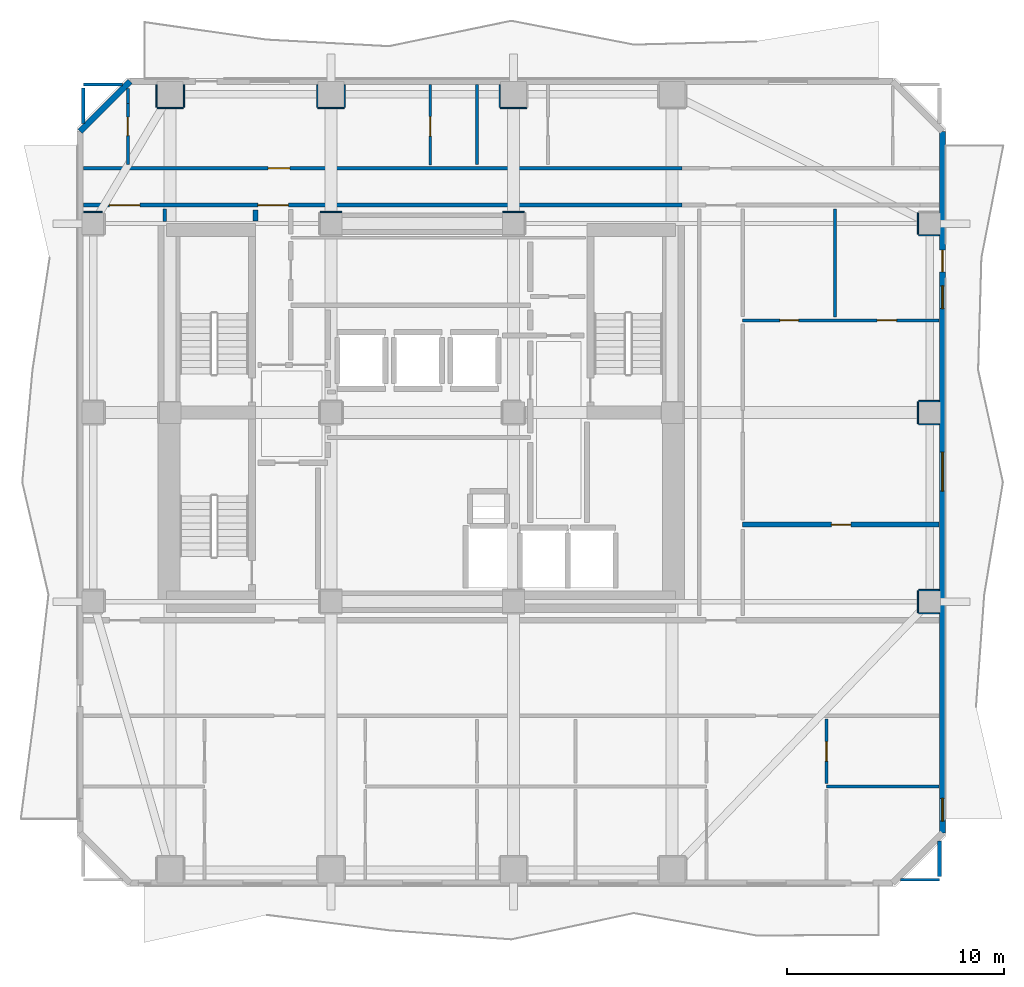
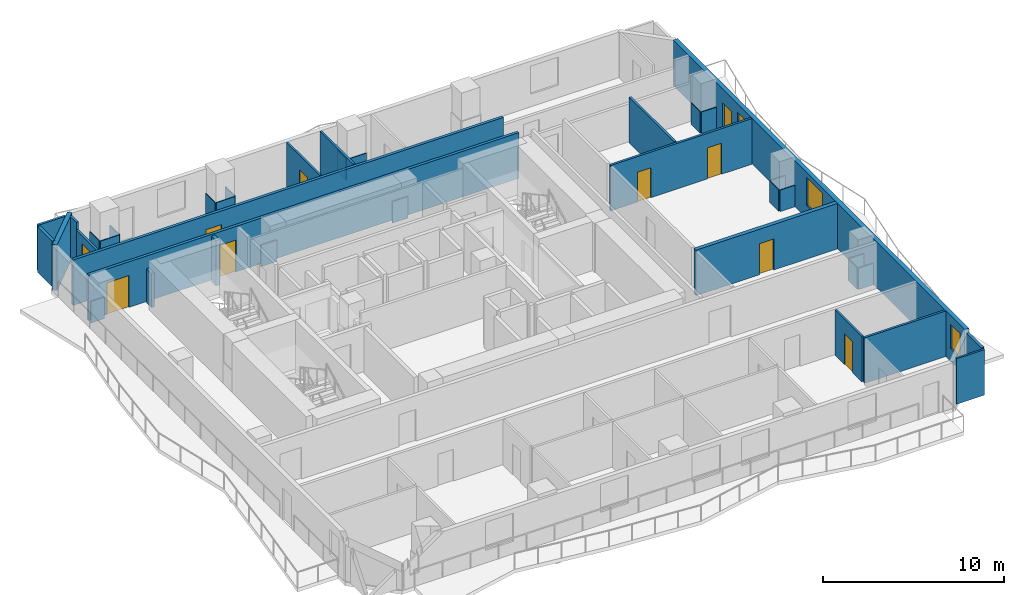
# One storey, part 5 of 9: 38 walls, 10 doors, 3 windows, 13 openings.
"""IFC4 building model written with IfcOpenShell, lengths in metres."""

from ifc_helpers import new_model, si_unit, direction, frame, frame_2d, origin, place, context, subcontext, project, spatial, rectangle, extrude, material, layer, layer_set, type_object, element, fill, save


model = new_model("IFC4")

# Units and contexts
model_context = context("Model", 3, precision=1e-05, world=origin(), true_north=direction((0.0, 1.0)))
body_context = subcontext(model_context, "Body", "Model", "MODEL_VIEW")
ifc_project = project(units=[si_unit("LENGTHUNIT", "METRE"), si_unit("AREAUNIT", "SQUARE_METRE"), si_unit("VOLUMEUNIT", "CUBIC_METRE"), si_unit("PLANEANGLEUNIT", "RADIAN"), si_unit("MASSUNIT", "GRAM", prefix="KILO")], contexts=[model_context])

# Site, building, storey
site_placement = place(None, origin())
site = spatial("IfcSite", under=ifc_project, at=site_placement, CompositionType="ELEMENT")
building_placement = place(site_placement, origin())
building = spatial("IfcBuilding", under=site, at=building_placement, Name="Solanera Arch Residences", CompositionType="ELEMENT")
storey_placement = place(building_placement, frame((0.0, 0.0, 129.320068359375)))
storey = spatial("IfcBuildingStorey", under=building, at=storey_placement, Name="L37", CompositionType="ELEMENT", Elevation=129.320068359375)

# Walls
ifc_material_1 = material(Name="Fire-Rated Gypsum Stud Partition", Category="gypsum")
ifc_layer_1 = layer(ifc_material_1, 0.06005859375)
ifc_layer_set_1 = layer_set([ifc_layer_1], Name="Fire-Rated Gypsum Stud Partition")
wall_type_1 = type_object("IfcWallType", Name="Column Acoustic Furring Wall 60", PredefinedType="PARTITIONING", material=ifc_layer_set_1)
for number, where, z_axis, x_axis, name in (
    (1, (20.300048828125, 39.931884765625, 0.0), (0.0, 0.0, 1.0), (1.0, 0.0, 0.0), "L37 Column Furring 3N"),
    (2, (28.699951171875, 39.931884765625, 0.0), (0.0, 0.0, 1.0), (1.0, 0.0, 0.0), "L37 Column Furring 4N"),
):
    element("IfcWall", number, at=place(storey_placement, frame(where, z_axis=z_axis, x_axis=x_axis)), inside=storey, type_object=wall_type_1, Name=name, PredefinedType="PARTITIONING", context=body_context, shape_type="SweptSolid", body=[
        extrude(rectangle(XDim=1.0, YDim=0.06005859375, at=frame_2d((0.5, 0.0))), origin(), (0.0, 0.0, 1.0), 1.449951171875),
    ])
wall_1_placement = place(storey_placement, frame((12.800048828125, 44.718017578125, 0.0), z_axis=(0.0, 0.0, 1.0), x_axis=(1.0, 0.0, 0.0)))
element("IfcWall", 3, at=wall_1_placement, inside=storey, type_object=wall_type_1, Name="L37 Column Furring 10S", PredefinedType="PARTITIONING", context=body_context, shape_type="SweptSolid", body=[
    extrude(rectangle(XDim=1.199951171875, YDim=0.06005859375, at=frame_2d((0.60009765625, 0.0))), origin(), (0.0, 0.0, 1.0), 1.449951171875),
])
for number, where, z_axis, x_axis, name in (
    (4, (12.76806640625, 44.75, 0.0), (0.0, 0.0, 1.0), (0.0, 1.0, 0.0), "L37 Column Furring 10W"),
    (5, (14.031982421875, 44.75, 0.0), (0.0, 0.0, 1.0), (0.0, 1.0, 0.0), "L37 Column Furring 10E"),
):
    element("IfcWall", number, at=place(storey_placement, frame(where, z_axis=z_axis, x_axis=x_axis)), inside=storey, type_object=wall_type_1, Name=name, PredefinedType="PARTITIONING", context=body_context, shape_type="SweptSolid", body=[
        extrude(rectangle(XDim=1.0400390625, YDim=0.06005859375, at=frame_2d((0.52001953125, 0.0))), origin(), (0.0, 0.0, 1.0), 1.449951171875),
    ])
wall_2_placement = place(storey_placement, frame((20.199951171875, 44.718017578125, 0.0), z_axis=(0.0, 0.0, 1.0), x_axis=(1.0, 0.0, 0.0)))
element("IfcWall", 6, at=wall_2_placement, inside=storey, type_object=wall_type_1, Name="L37 Column Furring 12S", PredefinedType="PARTITIONING", context=body_context, shape_type="SweptSolid", body=[
    extrude(rectangle(XDim=1.199951171875, YDim=0.06005859375, at=frame_2d((0.60009765625, 0.0))), origin(), (0.0, 0.0, 1.0), 1.449951171875),
])
for number, where, z_axis, x_axis, name in (
    (7, (20.16796875, 44.75, 0.0), (0.0, 0.0, 1.0), (0.0, 1.0, 0.0), "L37 Column Furring 12W"),
    (8, (21.431884765625, 44.75, 0.0), (0.0, 0.0, 1.0), (0.0, 1.0, 0.0), "L37 Column Furring 12E"),
):
    element("IfcWall", number, at=place(storey_placement, frame(where, z_axis=z_axis, x_axis=x_axis)), inside=storey, type_object=wall_type_1, Name=name, PredefinedType="PARTITIONING", context=body_context, shape_type="SweptSolid", body=[
        extrude(rectangle(XDim=1.0400390625, YDim=0.06005859375, at=frame_2d((0.52001953125, 0.0))), origin(), (0.0, 0.0, 1.0), 1.449951171875),
    ])
wall_3_placement = place(storey_placement, frame((28.60009765625, 44.718017578125, 0.0), z_axis=(0.0, 0.0, 1.0), x_axis=(1.0, 0.0, 0.0)))
element("IfcWall", 9, at=wall_3_placement, inside=storey, type_object=wall_type_1, Name="L37 Column Furring 14S", PredefinedType="PARTITIONING", context=body_context, shape_type="SweptSolid", body=[
    extrude(rectangle(XDim=1.199951171875, YDim=0.06005859375, at=frame_2d((0.60009765625, 0.0))), origin(), (0.0, 0.0, 1.0), 1.449951171875),
])
wall_4_placement = place(storey_placement, frame((28.568115234375, 44.75, 0.0), z_axis=(0.0, 0.0, 1.0), x_axis=(0.0, 1.0, 0.0)))
element("IfcWall", 10, at=wall_4_placement, inside=storey, type_object=wall_type_1, Name="L37 Column Furring 14W", PredefinedType="PARTITIONING", context=body_context, shape_type="SweptSolid", body=[
    extrude(rectangle(XDim=1.0400390625, YDim=0.06005859375, at=frame_2d((0.52001953125, 0.0))), origin(), (0.0, 0.0, 1.0), 1.449951171875),
])
for number, where, z_axis, x_axis, name in (
    (11, (47.85009765625, 21.468017578125, 0.0), (0.0, 0.0, 1.0), (1.0, 0.0, 0.0), "L37 Column Furring 18S"),
    (12, (47.85009765625, 22.531982421875, 0.0), (0.0, 0.0, 1.0), (1.0, 0.0, 0.0), "L37 Column Furring 18N"),
):
    element("IfcWall", number, at=place(storey_placement, frame(where, z_axis=z_axis, x_axis=x_axis)), inside=storey, type_object=wall_type_1, Name=name, PredefinedType="PARTITIONING", context=body_context, shape_type="SweptSolid", body=[
        extrude(rectangle(XDim=0.93994140625, YDim=0.06005859375, at=frame_2d((0.469970703125, 0.0))), origin(), (0.0, 0.0, 1.0), 1.449951171875),
    ])
wall_5_placement = place(storey_placement, frame((47.818115234375, 21.5, 0.0), z_axis=(0.0, 0.0, 1.0), x_axis=(0.0, 1.0, 0.0)))
element("IfcWall", 13, at=wall_5_placement, inside=storey, type_object=wall_type_1, Name="L37 Column Furring 18W", PredefinedType="PARTITIONING", context=body_context, shape_type="SweptSolid", body=[
    extrude(rectangle(XDim=1.0, YDim=0.06005859375, at=frame_2d((0.5, 0.0))), origin(), (0.0, 0.0, 1.0), 1.449951171875),
])
for number, where, z_axis, x_axis, name in (
    (14, (47.85009765625, 30.16796875, 0.0), (0.0, 0.0, 1.0), (1.0, 0.0, 0.0), "L37 Column Furring 20S"),
    (15, (47.85009765625, 31.23193359375, 0.0), (0.0, 0.0, 1.0), (1.0, 0.0, 0.0), "L37 Column Furring 20N"),
):
    element("IfcWall", number, at=place(storey_placement, frame(where, z_axis=z_axis, x_axis=x_axis)), inside=storey, type_object=wall_type_1, Name=name, PredefinedType="PARTITIONING", context=body_context, shape_type="SweptSolid", body=[
        extrude(rectangle(XDim=0.93994140625, YDim=0.06005859375, at=frame_2d((0.469970703125, 0.0))), origin(), (0.0, 0.0, 1.0), 1.449951171875),
    ])
wall_6_placement = place(storey_placement, frame((47.818115234375, 30.199951171875, 0.0), z_axis=(0.0, 0.0, 1.0), x_axis=(0.0, 1.0, 0.0)))
element("IfcWall", 16, at=wall_6_placement, inside=storey, type_object=wall_type_1, Name="L37 Column Furring 20W", PredefinedType="PARTITIONING", context=body_context, shape_type="SweptSolid", body=[
    extrude(rectangle(XDim=1.0, YDim=0.06005859375, at=frame_2d((0.5, 0.0))), origin(), (0.0, 0.0, 1.0), 1.449951171875),
])
wall_7_placement = place(storey_placement, frame((9.409912109375, 39.931884765625, 0.0), z_axis=(0.0, 0.0, 1.0), x_axis=(1.0, 0.0, 0.0)))
element("IfcWall", 17, at=wall_7_placement, inside=storey, type_object=wall_type_1, Name="L37 Column Furring 21N", PredefinedType="PARTITIONING", context=body_context, shape_type="SweptSolid", body=[
    extrude(rectangle(XDim=0.87109375, YDim=0.06005859375, at=frame_2d((0.435546875, 0.0))), origin(), (0.0, 0.0, 1.0), 1.449951171875),
])
wall_8_placement = place(storey_placement, frame((47.85009765625, 38.867919921875, 0.0), z_axis=(0.0, 0.0, 1.0), x_axis=(1.0, 0.0, 0.0)))
element("IfcWall", 18, at=wall_8_placement, inside=storey, type_object=wall_type_1, Name="L37 Column Furring 22S", PredefinedType="PARTITIONING", context=body_context, shape_type="SweptSolid", body=[
    extrude(rectangle(XDim=0.93994140625, YDim=0.06005859375, at=frame_2d((0.469970703125, 0.0))), origin(), (0.0, 0.0, 1.0), 1.449951171875),
])
wall_9_placement = place(storey_placement, frame((47.818115234375, 38.89990234375, 0.0), z_axis=(0.0, 0.0, 1.0), x_axis=(0.0, 1.0, 0.0)))
element("IfcWall", 19, at=wall_9_placement, inside=storey, type_object=wall_type_1, Name="L37 Column Furring 22W", PredefinedType="PARTITIONING", context=body_context, shape_type="SweptSolid", body=[
    extrude(rectangle(XDim=1.0, YDim=0.06005859375, at=frame_2d((0.5, 0.0))), origin(), (0.0, 0.0, 1.0), 1.449951171875),
])

# Wall, openings, doors
ifc_material_2 = material(Name="Autoclaved Aerated Concrete Blockwork", Category="masonry")
ifc_layer_2 = layer(ifc_material_2, 0.179931640625)
ifc_layer_set_2 = layer_set([ifc_layer_2], Name="Autoclaved Aerated Concrete Blockwork")
wall_type_2 = type_object("IfcWallType", Name="Corridor Fire Partition 180", PredefinedType="PARTITIONING", material=ifc_layer_set_2)
wall_10_placement = place(storey_placement, frame((9.406982421875, 40.25, 0.0), z_axis=(0.0, 0.0, 1.0), x_axis=(1.0, 0.0, 0.0)))
wall_10 = element("IfcWall", 20, at=wall_10_placement, inside=storey, type_object=wall_type_2, Name="L37 Interior Partition H12 1", PredefinedType="PARTITIONING", context=body_context, shape_type="SweptSolid", body=[
    extrude(rectangle(XDim=27.5361328125, YDim=0.179931640625, at=frame_2d((13.76806640625, 0.0))), origin(), (0.0, 0.0, 1.0), 3.079833984375),
])
opening_1_placement = place(wall_10_placement, frame((8.028076171875, 0.0, 0.0)))
opening_1 = element("IfcOpeningElement", 21, at=opening_1_placement, cuts=wall_10, Name="Opening DF-03", PredefinedType="OPENING", context=body_context, shape_type="SweptSolid", body=[
    extrude(rectangle(XDim=1.39990234375, YDim=2.14990234375, at=frame_2d((0.699951171875, 1.074951171875))), frame((0.0, 0.10009765625, 0.0), z_axis=(0.0, -1.0, 0.0), x_axis=(1.0, 0.0, 0.0)), (0.0, 0.0, 1.0), 0.1999),
])
opening_2_placement = place(wall_10_placement, frame((1.19189453125, 0.0, 0.0)))
opening_2 = element("IfcOpeningElement", 22, at=opening_2_placement, cuts=wall_10, Name="Opening DF-03", PredefinedType="OPENING", context=body_context, shape_type="SweptSolid", body=[
    extrude(rectangle(XDim=1.39990234375, YDim=2.14990234375, at=frame_2d((0.699951171875, 1.074951171875))), frame((0.0, 0.10009765625, 0.0), z_axis=(0.0, -1.0, 0.0), x_axis=(1.0, 0.0, 0.0)), (0.0, 0.0, 1.0), 0.1999),
])
ifc_material_3 = material(Name="Fire-Rated Architectural Hardwood", Category="wood")
door_type_1 = type_object("IfcDoorType", Name="Corridor Smoke Door DF-03", OperationType="NOTDEFINED", PredefinedType="DOOR", material=ifc_material_3)
door_1_placement = place(opening_1_placement, origin())
door_1 = element("IfcDoor", 23, at=door_1_placement, inside=storey, type_object=door_type_1, Name="DR-L37-IN-009", OperationType="SINGLE_SWING_RIGHT", OverallHeight=2.14990234375, OverallWidth=1.39990234375, PredefinedType="DOOR", context=body_context, shape_type="SweptSolid", body=[
    extrude(rectangle(XDim=1.39990234375, YDim=2.14990234375, at=frame_2d((0.699951171875, 1.074951171875))), frame((0.0, 0.02490234375, 0.0), z_axis=(0.0, -1.0, 0.0), x_axis=(1.0, 0.0, 0.0)), (0.0, 0.0, 1.0), 0.050048828125),
])
fill(opening_1, door_1)
door_2_placement = place(opening_2_placement, origin())
door_2 = element("IfcDoor", 24, at=door_2_placement, inside=storey, type_object=door_type_1, Name="DR-L37-IN-012", OperationType="SINGLE_SWING_LEFT", OverallHeight=2.14990234375, OverallWidth=1.39990234375, PredefinedType="DOOR", context=body_context, shape_type="SweptSolid", body=[
    extrude(rectangle(XDim=1.39990234375, YDim=2.14990234375, at=frame_2d((0.699951171875, 1.074951171875))), frame((0.0, 0.02490234375, 0.0), z_axis=(0.0, -1.0, 0.0), x_axis=(1.0, 0.0, 0.0)), (0.0, 0.0, 1.0), 0.050048828125),
])
fill(opening_2, door_2)

# Wall, opening, door
wall_11_placement = place(storey_placement, frame((9.406982421875, 41.949951171875, 0.0), z_axis=(0.0, 0.0, 1.0), x_axis=(1.0, 0.0, 0.0)))
wall_11 = element("IfcWall", 25, at=wall_11_placement, inside=storey, type_object=wall_type_2, Name="L37 Interior Partition H13 1", PredefinedType="PARTITIONING", context=body_context, shape_type="SweptSolid", body=[
    extrude(rectangle(XDim=27.5361328125, YDim=0.179931640625, at=frame_2d((13.76806640625, 0.0))), origin(), (0.0, 0.0, 1.0), 3.079833984375),
])
opening_3_placement = place(wall_11_placement, frame((8.5029296875, 0.0, 0.0)))
opening_3 = element("IfcOpeningElement", 26, at=opening_3_placement, cuts=wall_11, Name="Opening DI-01", PredefinedType="OPENING", context=body_context, shape_type="SweptSolid", body=[
    extrude(rectangle(XDim=1.0, YDim=2.14990234375, at=frame_2d((0.5, 1.074951171875))), frame((0.0, 0.10009765625, 0.0), z_axis=(0.0, -1.0, 0.0), x_axis=(1.0, 0.0, 0.0)), (0.0, 0.0, 1.0), 0.1999),
])
ifc_material_4 = material(Name="Fire-Rated Architectural Hardwood", Category="wood")
door_type_2 = type_object("IfcDoorType", Name="Unit Entrance Fire Door DI-01", OperationType="NOTDEFINED", PredefinedType="DOOR", material=ifc_material_4)
door_3_placement = place(opening_3_placement, origin())
door_3 = element("IfcDoor", 27, at=door_3_placement, inside=storey, type_object=door_type_2, Name="DR-L37-IN-029", OperationType="SINGLE_SWING_RIGHT", OverallHeight=2.14990234375, OverallWidth=1.0, PredefinedType="DOOR", context=body_context, shape_type="SweptSolid", body=[
    extrude(rectangle(XDim=1.0, YDim=2.14990234375, at=frame_2d((0.5, 1.074951171875))), frame((0.0, 0.02490234375, 0.0), z_axis=(0.0, -1.0, 0.0), x_axis=(1.0, 0.0, 0.0)), (0.0, 0.0, 1.0), 0.050048828125),
])
fill(opening_3, door_3)

# Walls
wall_12_placement = place(storey_placement, frame((9.39990234375, 44.0048828125, 0.0), z_axis=(0.0, 0.0, 1.0), x_axis=(0.0, 1.0, 0.0)))
element("IfcWall", 28, at=wall_12_placement, inside=storey, type_object=wall_type_2, Name="L37 Interior Partition V7 2", PredefinedType="PARTITIONING", context=body_context, shape_type="SweptSolid", body=[
    extrude(rectangle(XDim=1.627197265625, YDim=0.179931640625, at=frame_2d((0.8134765625, 0.0))), origin(), (0.0, 0.0, 1.0), 3.079833984375),
])
wall_13_placement = place(storey_placement, frame((13.14990234375, 39.5, 0.0), z_axis=(0.0, 0.0, 1.0), x_axis=(0.0, 1.0, 0.0)))
element("IfcWall", 29, at=wall_13_placement, inside=storey, type_object=wall_type_2, Name="L37 Interior Partition V8", PredefinedType="PARTITIONING", context=body_context, shape_type="SweptSolid", body=[
    extrude(rectangle(XDim=0.56201171875, YDim=0.179931640625, at=frame_2d((0.281005859375, 0.0))), origin(), (0.0, 0.0, 1.0), 2.31494140625),
])
wall_14_placement = place(storey_placement, frame((48.800048828125, 9.35791015625, 0.0), z_axis=(0.0, 0.0, 1.0), x_axis=(0.0, 1.0, 0.0)))
element("IfcWall", 30, at=wall_14_placement, inside=storey, type_object=wall_type_2, Name="L37 Interior Partition V12 1", PredefinedType="PARTITIONING", context=body_context, shape_type="SweptSolid", body=[
    extrude(rectangle(XDim=1.63720703125, YDim=0.179931640625, at=frame_2d((0.818603515625, 0.0))), origin(), (0.0, 0.0, 1.0), 3.079833984375),
])
ifc_material_5 = material(Name="Precast Concrete C35/45", Category="concrete")
ifc_layer_3 = layer(ifc_material_5, 0.280029296875)
ifc_layer_set_3 = layer_set([ifc_layer_3], Name="Precast Concrete C35/45")
wall_type_3 = type_object("IfcWallType", Name="Exterior Wall Precast Masonry-Frame 280", PredefinedType="STANDARD", material=ifc_layer_set_3)
wall_15_placement = place(storey_placement, frame((9.2548828125, 43.64501953125, 0.0), z_axis=(0.0, 0.0, 1.0), x_axis=(0.707106781187, 0.707106781187, 0.0)))
element("IfcWall", 31, at=wall_15_placement, inside=storey, type_object=wall_type_3, Name="L37 Tower Exterior Precast Masonry-Frame Wall CH1", PredefinedType="STANDARD", context=body_context, shape_type="SweptSolid", body=[
    extrude(rectangle(XDim=3.252685546875, YDim=0.280029296875, at=frame_2d((1.62646484375, 0.0))), origin(), (0.0, 0.0, 1.0), 3.079833984375),
])

# Wall, openings, door, windows
wall_16_placement = place(storey_placement, frame((48.945068359375, 43.64501953125, 0.0), z_axis=(0.0, 0.0, 1.0), x_axis=(0.0, -1.0, 0.0)))
wall_16 = element("IfcWall", 32, at=wall_16_placement, inside=storey, type_object=wall_type_3, Name="L37 Tower Exterior Precast Masonry-Frame Wall E", PredefinedType="STANDARD", context=body_context, shape_type="SweptSolid", body=[
    extrude(rectangle(XDim=32.2900390625, YDim=0.280029296875, at=frame_2d((16.14501953125, 0.0))), origin(), (0.0, 0.0, 1.0), 3.079833984375),
])
opening_4_placement = place(wall_16_placement, frame((5.467041015625, 0.0, 0.0)))
opening_4 = element("IfcOpeningElement", 33, at=opening_4_placement, cuts=wall_16, Name="Opening DB-01", PredefinedType="OPENING", context=body_context, shape_type="SweptSolid", body=[
    extrude(rectangle(XDim=1.0, YDim=2.14990234375, at=frame_2d((0.5, 1.074951171875))), frame((0.0, 0.14990234375, 0.0), z_axis=(0.0, -1.0, 0.0), x_axis=(1.0, 0.0, 0.0)), (0.0, 0.0, 1.0), 0.3),
])
opening_5_placement = place(wall_16_placement, frame((30.696044921875, 0.0, 0.85009765625)))
opening_5 = element("IfcOpeningElement", 34, at=opening_5_placement, cuts=wall_16, Name="Opening W-07", PredefinedType="OPENING", context=body_context, shape_type="SweptSolid", body=[
    extrude(rectangle(XDim=1.050048828125, YDim=1.64990234375, at=frame_2d((0.52490234375, 0.824951171875))), frame((0.0, 0.14990234375, 0.0), z_axis=(0.0, -1.0, 0.0), x_axis=(1.0, 0.0, 0.0)), (0.0, 0.0, 1.0), 0.3),
])
opening_6_placement = place(wall_16_placement, frame((14.760986328125, 0.0, 0.85009765625)))
opening_6 = element("IfcOpeningElement", 35, at=opening_6_placement, cuts=wall_16, Name="Opening W-03", PredefinedType="OPENING", context=body_context, shape_type="SweptSolid", body=[
    extrude(rectangle(XDim=1.800048828125, YDim=1.89990234375, at=frame_2d((0.89990234375, 0.949951171875))), frame((0.0, 0.14990234375, 0.0), z_axis=(0.0, -1.0, 0.0), x_axis=(1.0, 0.0, 0.0)), (0.0, 0.0, 1.0), 0.3),
])
opening_7_placement = place(wall_16_placement, frame((7.10595703125, 0.0, 0.85009765625)))
opening_7 = element("IfcOpeningElement", 36, at=opening_7_placement, cuts=wall_16, Name="Opening W-07", PredefinedType="OPENING", context=body_context, shape_type="SweptSolid", body=[
    extrude(rectangle(XDim=1.050048828125, YDim=1.64990234375, at=frame_2d((0.52490234375, 0.824951171875))), frame((0.0, 0.14990234375, 0.0), z_axis=(0.0, -1.0, 0.0), x_axis=(1.0, 0.0, 0.0)), (0.0, 0.0, 1.0), 0.3),
])
ifc_material_6 = material(Name="Anodised Aluminium Alloy 6063-T6", Category="aluminium")
door_type_3 = type_object("IfcDoorType", Name="Glazed Balcony Swing Door DB-01", OperationType="NOTDEFINED", PredefinedType="DOOR", material=ifc_material_6)
door_4_placement = place(opening_4_placement, origin())
door_4 = element("IfcDoor", 37, at=door_4_placement, inside=storey, type_object=door_type_3, Name="DR-L37-OUT-03", OperationType="SINGLE_SWING_LEFT", OverallHeight=2.14990234375, OverallWidth=1.0, PredefinedType="DOOR", context=body_context, shape_type="SweptSolid", body=[
    extrude(rectangle(XDim=1.0, YDim=2.14990234375, at=frame_2d((0.5, 1.074951171875))), frame((0.0, 0.02490234375, 0.0), z_axis=(0.0, -1.0, 0.0), x_axis=(1.0, 0.0, 0.0)), (0.0, 0.0, 1.0), 0.050048828125),
])
fill(opening_4, door_4)
ifc_material_7 = material(Name="Double Glazed Low-E Laminated Glass", Category="glass")
window_type_1 = type_object("IfcWindowType", Name="Punched Window W-03", PartitioningType="DOUBLE_PANEL_VERTICAL", PredefinedType="WINDOW", material=ifc_material_7)
window_1_placement = place(opening_6_placement, origin())
window_1 = element("IfcWindow", 38, at=window_1_placement, inside=storey, type_object=window_type_1, Name="L37 3705-LIV Punched Window", OverallHeight=1.89990234375, OverallWidth=1.800048828125, PartitioningType="SINGLE_PANEL", PredefinedType="WINDOW", context=body_context, shape_type="SweptSolid", body=[
    extrude(rectangle(XDim=1.800048828125, YDim=1.89990234375, at=frame_2d((0.89990234375, 0.949951171875))), frame((0.0, 0.030029296875, 0.0), z_axis=(0.0, -1.0, 0.0), x_axis=(1.0, 0.0, 0.0)), (0.0, 0.0, 1.0), 0.06005859375),
])
fill(opening_6, window_1)
ifc_material_8 = material(Name="Double Glazed Low-E Laminated Glass", Category="glass")
window_type_2 = type_object("IfcWindowType", Name="Punched Window W-07", PartitioningType="SINGLE_PANEL", PredefinedType="WINDOW", material=ifc_material_8)
window_2_placement = place(opening_5_placement, origin())
window_2 = element("IfcWindow", 39, at=window_2_placement, inside=storey, type_object=window_type_2, Name="L37 3702-BR2 Punched Window", OverallHeight=1.64990234375, OverallWidth=1.050048828125, PartitioningType="SINGLE_PANEL", PredefinedType="WINDOW", context=body_context, shape_type="SweptSolid", body=[
    extrude(rectangle(XDim=1.050048828125, YDim=1.64990234375, at=frame_2d((0.52490234375, 0.824951171875))), frame((0.0, 0.030029296875, 0.0), z_axis=(0.0, -1.0, 0.0), x_axis=(1.0, 0.0, 0.0)), (0.0, 0.0, 1.0), 0.06005859375),
])
fill(opening_5, window_2)
window_3_placement = place(opening_7_placement, origin())
window_3 = element("IfcWindow", 40, at=window_3_placement, inside=storey, type_object=window_type_2, Name="L37 3705-BR1 Punched Window", OverallHeight=1.64990234375, OverallWidth=1.050048828125, PartitioningType="SINGLE_PANEL", PredefinedType="WINDOW", context=body_context, shape_type="SweptSolid", body=[
    extrude(rectangle(XDim=1.050048828125, YDim=1.64990234375, at=frame_2d((0.52490234375, 0.824951171875))), frame((0.0, 0.030029296875, 0.0), z_axis=(0.0, -1.0, 0.0), x_axis=(1.0, 0.0, 0.0)), (0.0, 0.0, 1.0), 0.06005859375),
])
fill(opening_7, window_3)

# Wall, opening, door
ifc_material_9 = material(Name="Autoclaved Aerated Concrete Blockwork", Category="masonry")
ifc_layer_4 = layer(ifc_material_9, 0.239990234375)
ifc_layer_set_4 = layer_set([ifc_layer_4], Name="Autoclaved Aerated Concrete Blockwork")
wall_type_4 = type_object("IfcWallType", Name="Shaft Wall Fire-Rated 240", PredefinedType="PARTITIONING", material=ifc_layer_set_4)
wall_17_placement = place(storey_placement, frame((39.75, 25.550048828125, 0.0), z_axis=(0.0, 0.0, 1.0), x_axis=(1.0, 0.0, 0.0)))
wall_17 = element("IfcWall", 41, at=wall_17_placement, inside=storey, type_object=wall_type_4, Name="L37 Interior Partition H3", PredefinedType="PARTITIONING", context=body_context, shape_type="SweptSolid", body=[
    extrude(rectangle(XDim=9.04296875, YDim=0.239990234375, at=frame_2d((4.521484375, 0.0))), origin(), (0.0, 0.0, 1.0), 3.079833984375),
])
opening_8_placement = place(wall_17_placement, frame((4.074951171875, 0.0, 0.0)))
opening_8 = element("IfcOpeningElement", 42, at=opening_8_placement, cuts=wall_17, Name="Opening DI-02", PredefinedType="OPENING", context=body_context, shape_type="SweptSolid", body=[
    extrude(rectangle(XDim=0.89990234375, YDim=2.10009765625, at=frame_2d((0.449951171875, 1.050048828125))), frame((0.0, 0.1298828125, 0.0), z_axis=(0.0, -1.0, 0.0), x_axis=(1.0, 0.0, 0.0)), (0.0, 0.0, 1.0), 0.26),
])
ifc_material_10 = material(Name="Fire-Rated Architectural Hardwood", Category="wood")
door_type_4 = type_object("IfcDoorType", Name="Suite Room Swing Door DI-02", OperationType="NOTDEFINED", PredefinedType="DOOR", material=ifc_material_10)
door_5_placement = place(opening_8_placement, origin())
door_5 = element("IfcDoor", 43, at=door_5_placement, inside=storey, type_object=door_type_4, Name="DR-L37-IN-036", OperationType="SINGLE_SWING_LEFT", OverallHeight=2.10009765625, OverallWidth=0.89990234375, PredefinedType="DOOR", context=body_context, shape_type="SweptSolid", body=[
    extrude(rectangle(XDim=0.89990234375, YDim=2.10009765625, at=frame_2d((0.449951171875, 1.050048828125))), frame((0.0, 0.02490234375, 0.0), z_axis=(0.0, -1.0, 0.0), x_axis=(1.0, 0.0, 0.0)), (0.0, 0.0, 1.0), 0.050048828125),
])
fill(opening_8, door_5)

# Walls
wall_18_placement = place(storey_placement, frame((17.320068359375, 39.530029296875, 0.0), z_axis=(0.0, 0.0, 1.0), x_axis=(0.0, 1.0, 0.0)))
element("IfcWall", 44, at=wall_18_placement, inside=storey, type_object=wall_type_4, Name="L37 Interior Partition V1", PredefinedType="PARTITIONING", context=body_context, shape_type="SweptSolid", body=[
    extrude(rectangle(XDim=0.501953125, YDim=0.239990234375, at=frame_2d((0.2509765625, 0.0))), origin(), (0.0, 0.0, 1.0), 3.079833984375),
])
ifc_material_11 = material(Name="Fire-Rated Gypsum Stud Partition", Category="gypsum")
ifc_layer_5 = layer(ifc_material_11, 0.1201171875)
ifc_layer_set_5 = layer_set([ifc_layer_5], Name="Fire-Rated Gypsum Stud Partition")
wall_type_5 = type_object("IfcWallType", Name="Unit Drywall Partition 120", PredefinedType="PARTITIONING", material=ifc_layer_set_5)
wall_19_placement = place(storey_placement, frame((47.0048828125, 9.199951171875, 0.0), z_axis=(0.0, 0.0, 1.0), x_axis=(1.0, 0.0, 0.0)))
element("IfcWall", 45, at=wall_19_placement, inside=storey, type_object=wall_type_5, Name="L37 Interior Partition H19 2", PredefinedType="PARTITIONING", context=body_context, shape_type="SweptSolid", body=[
    extrude(rectangle(XDim=1.795166015625, YDim=0.1201171875, at=frame_2d((0.8974609375, 0.0))), origin(), (0.0, 0.0, 1.0), 3.079833984375),
])

# Wall, opening, door
wall_20_placement = place(storey_placement, frame((25.3701171875, 42.10791015625, 0.0), z_axis=(0.0, 0.0, 1.0), x_axis=(0.0, 1.0, 0.0)))
wall_20 = element("IfcWall", 46, at=wall_20_placement, inside=storey, type_object=wall_type_5, Name="L37 Interior Partition V22", PredefinedType="PARTITIONING", context=body_context, shape_type="SweptSolid", body=[
    extrude(rectangle(XDim=3.68505859375, YDim=0.1201171875, at=frame_2d((1.842529296875, 0.0))), origin(), (0.0, 0.0, 1.0), 3.079833984375),
])
opening_9_placement = place(wall_20_placement, frame((1.31689453125, 0.0, 0.0)))
opening_9 = element("IfcOpeningElement", 47, at=opening_9_placement, cuts=wall_20, Name="Opening DI-02", PredefinedType="OPENING", context=body_context, shape_type="SweptSolid", body=[
    extrude(rectangle(XDim=0.89990234375, YDim=2.10009765625, at=frame_2d((0.449951171875, 1.050048828125))), frame((0.0, 0.070068359375, 0.0), z_axis=(0.0, -1.0, 0.0), x_axis=(1.0, 0.0, 0.0)), (0.0, 0.0, 1.0), 0.1401),
])
door_6_placement = place(opening_9_placement, origin())
door_6 = element("IfcDoor", 48, at=door_6_placement, inside=storey, type_object=door_type_4, Name="DR-L37-IN-031", OperationType="SINGLE_SWING_RIGHT", OverallHeight=2.10009765625, OverallWidth=0.89990234375, PredefinedType="DOOR", context=body_context, shape_type="SweptSolid", body=[
    extrude(rectangle(XDim=0.89990234375, YDim=2.10009765625, at=frame_2d((0.449951171875, 1.050048828125))), frame((0.0, 0.02490234375, 0.0), z_axis=(0.0, -1.0, 0.0), x_axis=(1.0, 0.0, 0.0)), (0.0, 0.0, 1.0), 0.050048828125),
])
fill(opening_9, door_6)

wall_21_placement = place(storey_placement, frame((43.60595703125, 13.64208984375, 0.0), z_axis=(0.0, 0.0, 1.0), x_axis=(0.0, 1.0, 0.0)))
wall_21 = element("IfcWall", 49, at=wall_21_placement, inside=storey, type_object=wall_type_5, Name="L37 Interior Partition V23 2", PredefinedType="PARTITIONING", context=body_context, shape_type="SweptSolid", body=[
    extrude(rectangle(XDim=2.949951171875, YDim=0.1201171875, at=frame_2d((1.47509765625, 0.0))), origin(), (0.0, 0.0, 1.0), 3.079833984375),
])
opening_10_placement = place(wall_21_placement, frame((1.02197265625, 0.0, 0.0)))
opening_10 = element("IfcOpeningElement", 50, at=opening_10_placement, cuts=wall_21, Name="Opening DI-02", PredefinedType="OPENING", context=body_context, shape_type="SweptSolid", body=[
    extrude(rectangle(XDim=0.89990234375, YDim=2.10009765625, at=frame_2d((0.449951171875, 1.050048828125))), frame((0.0, 0.070068359375, 0.0), z_axis=(0.0, -1.0, 0.0), x_axis=(1.0, 0.0, 0.0)), (0.0, 0.0, 1.0), 0.1401),
])
door_7_placement = place(opening_10_placement, origin())
door_7 = element("IfcDoor", 51, at=door_7_placement, inside=storey, type_object=door_type_4, Name="DR-L37-IN-027", OperationType="SINGLE_SWING_RIGHT", OverallHeight=2.10009765625, OverallWidth=0.89990234375, PredefinedType="DOOR", context=body_context, shape_type="SweptSolid", body=[
    extrude(rectangle(XDim=0.89990234375, YDim=2.10009765625, at=frame_2d((0.449951171875, 1.050048828125))), frame((0.0, 0.02490234375, 0.0), z_axis=(0.0, -1.0, 0.0), x_axis=(1.0, 0.0, 0.0)), (0.0, 0.0, 1.0), 0.050048828125),
])
fill(opening_10, door_7)

# Wall
ifc_material_12 = material(Name="Autoclaved Aerated Concrete Blockwork", Category="masonry")
ifc_layer_6 = layer(ifc_material_12, 0.139892578125)
ifc_layer_set_6 = layer_set([ifc_layer_6], Name="Autoclaved Aerated Concrete Blockwork")
wall_type_6 = type_object("IfcWallType", Name="Wet-Room Partition 140", PredefinedType="PARTITIONING", material=ifc_layer_set_6)
wall_22_placement = place(storey_placement, frame((43.60595703125, 13.50390625, 0.0), z_axis=(0.0, 0.0, 1.0), x_axis=(1.0, 0.0, 0.0)))
element("IfcWall", 52, at=wall_22_placement, inside=storey, type_object=wall_type_6, Name="L37 Interior Partition H16", PredefinedType="PARTITIONING", context=body_context, shape_type="SweptSolid", body=[
    extrude(rectangle(XDim=5.18701171875, YDim=0.139892578125, at=frame_2d((2.593505859375, 0.0))), origin(), (0.0, 0.0, 1.0), 3.079833984375),
])

# Wall, openings, doors
wall_23_placement = place(storey_placement, frame((39.75, 34.949951171875, 0.0), z_axis=(0.0, 0.0, 1.0), x_axis=(1.0, 0.0, 0.0)))
wall_23 = element("IfcWall", 53, at=wall_23_placement, inside=storey, type_object=wall_type_6, Name="L37 Interior Partition H17", PredefinedType="PARTITIONING", context=body_context, shape_type="SweptSolid", body=[
    extrude(rectangle(XDim=9.04296875, YDim=0.139892578125, at=frame_2d((4.521484375, 0.0))), origin(), (0.0, 0.0, 1.0), 3.079833984375),
])
opening_11_placement = place(wall_23_placement, frame((1.7080078125, 0.0, 0.0)))
opening_11 = element("IfcOpeningElement", 54, at=opening_11_placement, cuts=wall_23, Name="Opening DI-05", PredefinedType="OPENING", context=body_context, shape_type="SweptSolid", body=[
    extrude(rectangle(XDim=0.860107421875, YDim=2.02001953125, at=frame_2d((0.43017578125, 1.010009765625))), frame((0.0, 0.079833984375, 0.0), z_axis=(0.0, -1.0, 0.0), x_axis=(1.0, 0.0, 0.0)), (0.0, 0.0, 1.0), 0.1599),
])
opening_12_placement = place(wall_23_placement, frame((6.18701171875, 0.0, 0.0)))
opening_12 = element("IfcOpeningElement", 55, at=opening_12_placement, cuts=wall_23, Name="Opening DI-03", PredefinedType="OPENING", context=body_context, shape_type="SweptSolid", body=[
    extrude(rectangle(XDim=0.89990234375, YDim=2.10009765625, at=frame_2d((0.449951171875, 1.050048828125))), frame((0.0, 0.079833984375, 0.0), z_axis=(0.0, -1.0, 0.0), x_axis=(1.0, 0.0, 0.0)), (0.0, 0.0, 1.0), 0.1599),
])
ifc_material_13 = material(Name="Fire-Rated Architectural Hardwood", Category="wood")
door_type_5 = type_object("IfcDoorType", Name="Bathroom Swing Door DI-05", OperationType="NOTDEFINED", PredefinedType="DOOR", material=ifc_material_13)
door_8_placement = place(opening_11_placement, origin())
door_8 = element("IfcDoor", 56, at=door_8_placement, inside=storey, type_object=door_type_5, Name="DR-L37-IN-037", OperationType="SINGLE_SWING_RIGHT", OverallHeight=2.02001953125, OverallWidth=0.860107421875, PredefinedType="DOOR", context=body_context, shape_type="SweptSolid", body=[
    extrude(rectangle(XDim=0.860107421875, YDim=2.02001953125, at=frame_2d((0.43017578125, 1.010009765625))), frame((0.0, 0.02490234375, 0.0), z_axis=(0.0, -1.0, 0.0), x_axis=(1.0, 0.0, 0.0)), (0.0, 0.0, 1.0), 0.050048828125),
])
fill(opening_11, door_8)
ifc_material_14 = material(Name="Fire-Rated Architectural Hardwood", Category="wood")
door_type_6 = type_object("IfcDoorType", Name="Bedroom Swing Door DI-03", OperationType="NOTDEFINED", PredefinedType="DOOR", material=ifc_material_14)
door_9_placement = place(opening_12_placement, origin())
door_9 = element("IfcDoor", 57, at=door_9_placement, inside=storey, type_object=door_type_6, Name="DR-L37-IN-038", OperationType="SINGLE_SWING_LEFT", OverallHeight=2.10009765625, OverallWidth=0.89990234375, PredefinedType="DOOR", context=body_context, shape_type="SweptSolid", body=[
    extrude(rectangle(XDim=0.89990234375, YDim=2.10009765625, at=frame_2d((0.449951171875, 1.050048828125))), frame((0.0, 0.02490234375, 0.0), z_axis=(0.0, -1.0, 0.0), x_axis=(1.0, 0.0, 0.0)), (0.0, 0.0, 1.0), 0.050048828125),
])
fill(opening_12, door_9)

# Wall
wall_24_placement = place(storey_placement, frame((9.39990234375, 45.800048828125, 0.0), z_axis=(0.0, 0.0, 1.0), x_axis=(1.0, 0.0, 0.0)))
element("IfcWall", 58, at=wall_24_placement, inside=storey, type_object=wall_type_6, Name="L37 Interior Partition H18 1", PredefinedType="PARTITIONING", context=body_context, shape_type="SweptSolid", body=[
    extrude(rectangle(XDim=1.795166015625, YDim=0.139892578125, at=frame_2d((0.8974609375, 0.0))), origin(), (0.0, 0.0, 1.0), 3.079833984375),
])

# Wall, opening, door
wall_25_placement = place(storey_placement, frame((11.449951171875, 42.117919921875, 0.0), z_axis=(0.0, 0.0, 1.0), x_axis=(0.0, 1.0, 0.0)))
wall_25 = element("IfcWall", 59, at=wall_25_placement, inside=storey, type_object=wall_type_6, Name="L37 Interior Partition V13 1", PredefinedType="PARTITIONING", context=body_context, shape_type="SweptSolid", body=[
    extrude(rectangle(XDim=2.80810546875, YDim=0.139892578125, at=frame_2d((1.404052734375, 0.0))), origin(), (0.0, 0.0, 1.0), 2.56494140625),
])
opening_13_placement = place(wall_25_placement, frame((1.326904296875, 0.0, 0.0)))
opening_13 = element("IfcOpeningElement", 60, at=opening_13_placement, cuts=wall_25, Name="Opening DI-05", PredefinedType="OPENING", context=body_context, shape_type="SweptSolid", body=[
    extrude(rectangle(XDim=0.860107421875, YDim=2.02001953125, at=frame_2d((0.43017578125, 1.010009765625))), frame((0.0, 0.079833984375, 0.0), z_axis=(0.0, -1.0, 0.0), x_axis=(1.0, 0.0, 0.0)), (0.0, 0.0, 1.0), 0.1599),
])
door_10_placement = place(opening_13_placement, origin())
door_10 = element("IfcDoor", 61, at=door_10_placement, inside=storey, type_object=door_type_5, Name="DR-L37-IN-030", OperationType="SINGLE_SWING_LEFT", OverallHeight=2.02001953125, OverallWidth=0.860107421875, PredefinedType="DOOR", context=body_context, shape_type="SweptSolid", body=[
    extrude(rectangle(XDim=0.860107421875, YDim=2.02001953125, at=frame_2d((0.43017578125, 1.010009765625))), frame((0.0, 0.02490234375, 0.0), z_axis=(0.0, -1.0, 0.0), x_axis=(1.0, 0.0, 0.0)), (0.0, 0.0, 1.0), 0.050048828125),
])
fill(opening_13, door_10)

# Walls
wall_26_placement = place(storey_placement, frame((11.449951171875, 44.926025390625, 0.0), z_axis=(0.0, 0.0, 1.0), x_axis=(0.0, 1.0, 0.0)))
element("IfcWall", 62, at=wall_26_placement, inside=storey, type_object=wall_type_6, Name="L37 Interior Partition V13 2", PredefinedType="PARTITIONING", context=body_context, shape_type="SweptSolid", body=[
    extrude(rectangle(XDim=0.698974609375, YDim=0.139892578125, at=frame_2d((0.349609375, 0.0))), origin(), (0.0, 0.0, 1.0), 3.079833984375),
])
wall_27_placement = place(storey_placement, frame((27.52001953125, 42.117919921875, 0.0), z_axis=(0.0, 0.0, 1.0), x_axis=(0.0, 1.0, 0.0)))
element("IfcWall", 63, at=wall_27_placement, inside=storey, type_object=wall_type_6, Name="L37 Interior Partition V16", PredefinedType="PARTITIONING", context=body_context, shape_type="SweptSolid", body=[
    extrude(rectangle(XDim=3.675048828125, YDim=0.139892578125, at=frame_2d((1.83740234375, 0.0))), origin(), (0.0, 0.0, 1.0), 3.079833984375),
])
wall_28_placement = place(storey_placement, frame((44.0, 35.097900390625, 0.0), z_axis=(0.0, 0.0, 1.0), x_axis=(0.0, 1.0, 0.0)))
element("IfcWall", 64, at=wall_28_placement, inside=storey, type_object=wall_type_6, Name="L37 Interior Partition V20", PredefinedType="PARTITIONING", context=body_context, shape_type="SweptSolid", body=[
    extrude(rectangle(XDim=4.984130859375, YDim=0.139892578125, at=frame_2d((2.4921875, 0.0))), origin(), (0.0, 0.0, 1.0), 3.079833984375),
])

save(model, "model.ifc")
